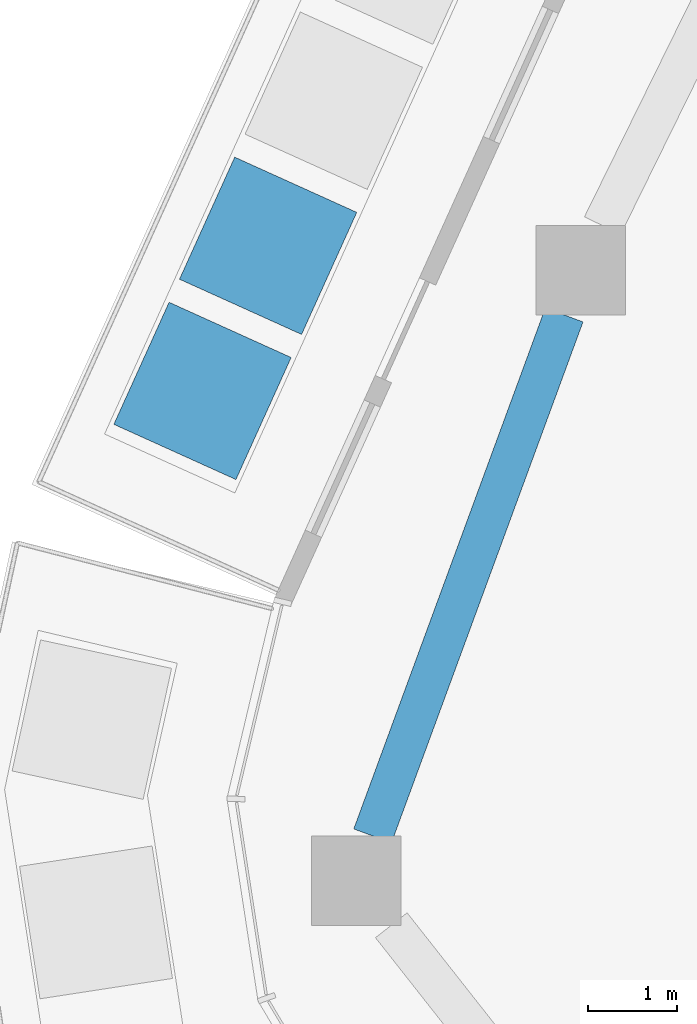
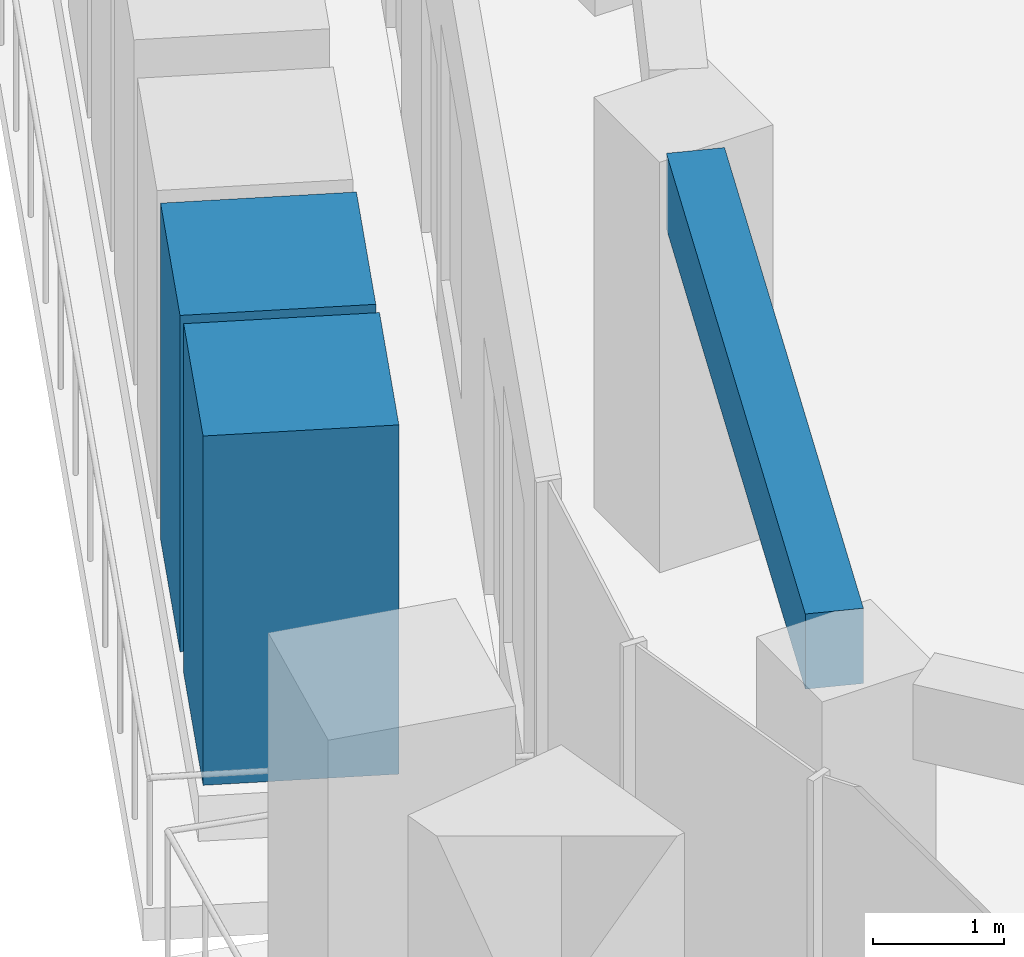
# One storey, part 3 of 23: 2 members, 1 beam.
"""IFC4 building model written with IfcOpenShell, lengths in metres."""

import ifcopenshell
import ifcopenshell.guid

model = None  # the IFC model being written
_history = None  # IfcOwnerHistory: only IFC2X3 demands one
_inside = {}  # id of a spatial element -> (the spatial element, [elements in it])
_under = {}  # id of a project, library or spatial element -> (it, [spatial elements below it])
_declared = {}  # id of a project -> (the project, [libraries it declares])
_typed = {}  # id of a type object -> (the type object, [elements of that type])
_made_of = {}  # id of a material, layer set ... -> (it, [elements and type objects made of it])


def new_model(schema):
    """Start an empty IFC model of exactly this schema.

    Asked for "IFC4X3", IfcOpenShell would pick the latest addendum, in which some entities
    have other attributes; the version numbers below select the first issue.
    IFC2X3 requires an IfcOwnerHistory on every rooted entity: one is made here for all.
    """
    global model, _history
    if schema == "IFC4X3":
        model = ifcopenshell.file(schema_version=(4, 3, 0, 0))
    else:
        model = ifcopenshell.file(schema=schema)
    _inside.clear()
    _under.clear()
    _declared.clear()
    _typed.clear()
    _made_of.clear()
    _history = None
    if model.schema == "IFC2X3":
        org = make("IfcOrganization", Name="unknown")
        user = make(
            "IfcPersonAndOrganization",
            ThePerson=make("IfcPerson", FamilyName="unknown"),
            TheOrganization=org,
        )
        app = make(
            "IfcApplication",
            ApplicationDeveloper=org,
            Version="unknown",
            ApplicationFullName="unknown",
            ApplicationIdentifier="unknown",
        )
        _history = make(
            "IfcOwnerHistory",
            OwningUser=user,
            OwningApplication=app,
            ChangeAction="ADDED",
            CreationDate=0,
        )
    return model


def make(cls, **values):
    """One entity of the class cls with the attributes given. An attribute that is None is left unset."""
    return model.create_entity(
        cls, **{name: value for name, value in values.items() if value is not None}
    )


def rooted(cls, **values):
    """An entity with a GlobalId (a new one), such as an element, a storey or a relation."""
    return make(cls, GlobalId=ifcopenshell.guid.new(), OwnerHistory=_history, **values)


def si_unit(unit_type, name, prefix=None):
    """IfcSIUnit, for example si_unit("LENGTHUNIT", "METRE", prefix="MILLI")."""
    return make("IfcSIUnit", UnitType=unit_type, Prefix=prefix, Name=name)


def assignment(units):
    """IfcUnitAssignment: the units of a project."""
    return None if units is None else make("IfcUnitAssignment", Units=units)


def point(xyz):
    """IfcCartesianPoint."""
    return None if xyz is None else make("IfcCartesianPoint", Coordinates=xyz)


def direction(xyz):
    """IfcDirection."""
    return None if xyz is None else make("IfcDirection", DirectionRatios=xyz)


def frame(location, z_axis=None, x_axis=None):
    """IfcAxis2Placement3D, a coordinate frame: its origin and axes. An axis left out is left unset."""
    return make(
        "IfcAxis2Placement3D",
        Location=point(location),
        Axis=direction(z_axis),
        RefDirection=direction(x_axis),
    )


def frame_2d(location, x_axis=None):
    """IfcAxis2Placement2D, a coordinate frame in the plane: its origin and x axis."""
    return make(
        "IfcAxis2Placement2D", Location=point(location), RefDirection=direction(x_axis)
    )


def origin():
    """The frame at (0, 0, 0) with its axes left unset."""
    return frame((0.0, 0.0, 0.0))


def origin_2d():
    """The frame at (0, 0) in the plane with its x axis left unset."""
    return frame_2d((0.0, 0.0))


def place(relative_to, where):
    """IfcLocalPlacement: puts the frame where relative to a parent placement (None: the world)."""
    return make(
        "IfcLocalPlacement", PlacementRelTo=relative_to, RelativePlacement=where
    )


def context(
    kind, dimensions, precision=None, world=None, true_north=None, identifier=None
):
    """IfcGeometricRepresentationContext, for example the 3D "Model" context."""
    return make(
        "IfcGeometricRepresentationContext",
        ContextIdentifier=identifier,
        ContextType=kind,
        CoordinateSpaceDimension=dimensions,
        Precision=precision,
        WorldCoordinateSystem=world,
        TrueNorth=true_north,
    )


def subcontext(parent, identifier, kind, view, scale=None):
    """IfcGeometricRepresentationSubContext, for example "Body" below "Model"."""
    return make(
        "IfcGeometricRepresentationSubContext",
        ContextIdentifier=identifier,
        ContextType=kind,
        ParentContext=parent,
        TargetScale=scale,
        TargetView=view,
    )


def project(units=None, contexts=None):
    """IfcProject with its units and contexts."""
    return rooted(
        "IfcProject",
        Name="project",
        RepresentationContexts=contexts,
        UnitsInContext=assignment(units),
    )


def spatial(cls, under=None, at=None, **own):
    """A site, building, storey or space (cls), placed at a placement, below another one or the project."""
    s = rooted(cls, ObjectPlacement=at, **own)
    if under is not None:
        _under.setdefault(under.id(), (under, []))[1].append(s)
    return s


def profile(cls, at=None, kind="AREA", **sizes):
    """A parametric profile (cls). Its sizes go by their IFC names, for example OverallWidth=200.0."""
    return make(cls, ProfileType=kind, Position=at, **sizes)


def rectangle(**sizes):
    """IfcRectangleProfileDef."""
    return profile("IfcRectangleProfileDef", **sizes)


def extrude(swept, where, along, depth):
    """IfcExtrudedAreaSolid: the profile swept, set in the frame where, extruded along a direction by depth."""
    return make(
        "IfcExtrudedAreaSolid",
        SweptArea=swept,
        Position=where,
        ExtrudedDirection=direction(along),
        Depth=depth,
    )


def shape(context_of_items, identifier, shape_type, items):
    """IfcShapeRepresentation: the items that make up one representation, for example the "Body"."""
    return make(
        "IfcShapeRepresentation",
        ContextOfItems=context_of_items,
        RepresentationIdentifier=identifier,
        RepresentationType=shape_type,
        Items=items,
    )


def material(Name=None, Category=None):
    """IfcMaterial."""
    return make("IfcMaterial", Name=Name, Category=Category)


def material_profile(
    of_material, cross_section, Name=None, Category=None, Priority=None
):
    """IfcMaterialProfile: a cross section and its material."""
    return make(
        "IfcMaterialProfile",
        Name=Name,
        Material=of_material,
        Profile=cross_section,
        Priority=Priority,
        Category=Category,
    )


def profile_set(profiles, Name=None, composite=None):
    """IfcMaterialProfileSet."""
    return make(
        "IfcMaterialProfileSet",
        Name=Name,
        MaterialProfiles=profiles,
        CompositeProfile=composite,
    )


def made_of(thing, what):
    """Note that an element or type object is made of a material, layer set ...; save() writes the relation."""
    if what is not None:
        _made_of.setdefault(what.id(), (what, []))[1].append(thing)
    return thing


def type_object(cls, material=None, **own):
    """A type object (cls), such as IfcWallType, which elements share."""
    return made_of(rooted(cls, **own), material)


def element(
    cls,
    number,
    at=None,
    inside=None,
    cuts=None,
    type_object=None,
    material=None,
    context=None,
    identifier="Body",
    shape_type=None,
    held_by="IfcProductDefinitionShape",
    body=None,
    shapes=None,
    **own,
):
    """One element of the class cls, such as IfcWall. Its Tag is "e" and its number.

    at: its placement. inside: the storey or other place that contains it. cuts: it is an
    opening in that element (IfcRelVoidsElement). A single representation is given by context,
    identifier, shape_type and body (its items); several are given by shapes. held_by: the class
    of the entity that holds the representations. save() writes the other relations.
    """
    e = rooted(cls, Tag="e%d" % number, ObjectPlacement=at, **own)
    if body is not None:
        shapes = [shape(context, identifier, shape_type, body)]
    if shapes is not None:
        e.Representation = make(held_by, Representations=shapes)
    if inside is not None:
        _inside.setdefault(inside.id(), (inside, []))[1].append(e)
    if cuts is not None:
        rooted(
            "IfcRelVoidsElement", RelatingBuildingElement=cuts, RelatedOpeningElement=e
        )
    if type_object is not None:
        _typed.setdefault(type_object.id(), (type_object, []))[1].append(e)
    return made_of(e, material)


def aggregate(whole, parts):
    """IfcRelAggregates: a whole, such as a stair, and the parts it consists of."""
    return rooted("IfcRelAggregates", RelatingObject=whole, RelatedObjects=parts)


def save(model, path):
    """Write the relations noted so far, then the file.

    IfcRelAggregates (storeys below a building ...), IfcRelContainedInSpatialStructure (elements
    in a storey), IfcRelDefinesByType, IfcRelAssociatesMaterial and IfcRelDeclares: one each for
    every whole, place, type object, material and project.
    """
    for whole, parts in _under.values():
        aggregate(whole, parts)
    for where, things in _inside.values():
        rooted(
            "IfcRelContainedInSpatialStructure",
            RelatedElements=things,
            RelatingStructure=where,
        )
    for kind, things in _typed.values():
        rooted("IfcRelDefinesByType", RelatedObjects=things, RelatingType=kind)
    for what, things in _made_of.values():
        rooted("IfcRelAssociatesMaterial", RelatedObjects=things, RelatingMaterial=what)
    for by, libraries in _declared.values():
        rooted("IfcRelDeclares", RelatingContext=by, RelatedDefinitions=libraries)
    model.write(path)


model = new_model("IFC4")

# Units and contexts
model_context = context("Model", 3, precision=1e-05, world=origin(), true_north=direction((0.0, 1.0)))
body_context = subcontext(model_context, "Body", "Model", "MODEL_VIEW")
ifc_project = project(units=[si_unit("LENGTHUNIT", "METRE"), si_unit("AREAUNIT", "SQUARE_METRE"), si_unit("VOLUMEUNIT", "CUBIC_METRE"), si_unit("PLANEANGLEUNIT", "RADIAN"), si_unit("MASSUNIT", "GRAM", prefix="KILO")], contexts=[model_context])

# Site, building, storey
site_placement = place(None, origin())
site = spatial("IfcSite", under=ifc_project, at=site_placement, CompositionType="ELEMENT")
building_placement = place(site_placement, origin())
building = spatial("IfcBuilding", under=site, at=building_placement, Name="Dongbaek Canopy Tower", CompositionType="ELEMENT")
storey_placement = place(building_placement, frame((0.0, 0.0, 323.60009765625)))
storey = spatial("IfcBuildingStorey", under=building, at=storey_placement, Name="L69", CompositionType="ELEMENT", Elevation=323.60009765625)

# Beam
ifc_material_1 = material(Name="Concrete C60", Category="concrete")
ifc_material_profile_1 = material_profile(ifc_material_1, rectangle(XDim=0.449951171875, YDim=0.699951171875, at=origin_2d()), Name="RC EDGE BEAM 450x700 C60")
ifc_profile_set_1 = profile_set([ifc_material_profile_1], Name="Concrete C60")
beam_type = type_object("IfcBeamType", Name="RC EDGE BEAM 450x700 C60", PredefinedType="BEAM", material=ifc_profile_set_1)
beam_placement = place(storey_placement, frame((-30.945068359375, -6.2451171875, 3.469970703125), z_axis=(0.345138950659, 0.938551599401, 0.0), x_axis=(-0.938551599401, 0.345138950659, 0.0)))
element("IfcBeam", 1, at=beam_placement, inside=storey, type_object=beam_type, Name="EDGEBEAM:L69:08", PredefinedType="BEAM", context=body_context, shape_type="SweptSolid", body=[
    extrude(rectangle(XDim=0.449951171875, YDim=0.699951171875, at=origin_2d()), origin(), (0.0, 0.0, 1.0), 6.212890625),
])

# Members
ifc_material_2 = material(Name="Concrete C40/50 planter mass with planting", Category="concrete")
ifc_material_profile_2 = material_profile(ifc_material_2, rectangle(XDim=1.5, YDim=1.5, at=origin_2d()), Name="Terrace PLANTER shrub mass 1500 x 1500")
ifc_profile_set_2 = profile_set([ifc_material_profile_2], Name="Concrete C40/50 planter mass with planting")
member_type = type_object("IfcMemberType", Name="Terrace PLANTER shrub mass 1500 x 1500", PredefinedType="USERDEFINED", material=ifc_profile_set_2)
member_1_placement = place(storey_placement, frame((-32.1142578125, 0.35986328125, 0.419921875), z_axis=(0.0, 0.0, 1.0), x_axis=(-0.911128562459, 0.412122242389, 0.0)))
element("IfcMember", 2, at=member_1_placement, inside=storey, type_object=member_type, Name="Planter shrubs L69 2.11", ObjectType="PLANTER", PredefinedType="USERDEFINED", context=body_context, shape_type="SweptSolid", body=[
    extrude(rectangle(XDim=1.5, YDim=1.5, at=origin_2d()), origin(), (0.0, 0.0, 1.0), 3.1298828125),
])
member_2_placement = place(storey_placement, frame((-32.848876953125, -1.264404296875, 0.419921875), z_axis=(0.0, 0.0, 1.0), x_axis=(-0.911128562459, 0.412122242389, 0.0)))
element("IfcMember", 3, at=member_2_placement, inside=storey, type_object=member_type, Name="Planter shrubs L69 2.12", ObjectType="PLANTER", PredefinedType="USERDEFINED", context=body_context, shape_type="SweptSolid", body=[
    extrude(rectangle(XDim=1.5, YDim=1.5, at=origin_2d()), origin(), (0.0, 0.0, 1.0), 3.25),
])

save(model, "model.ifc")
